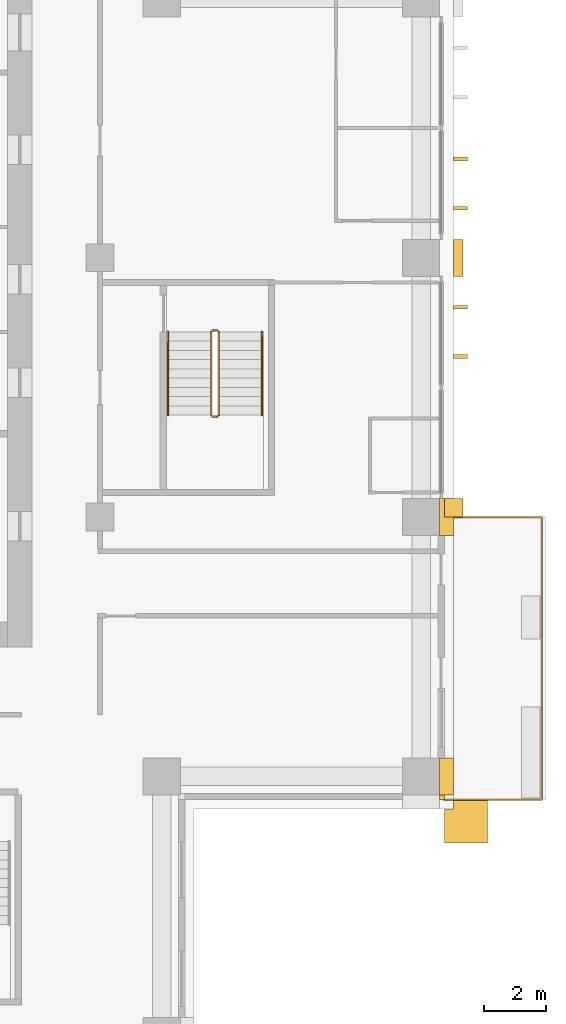
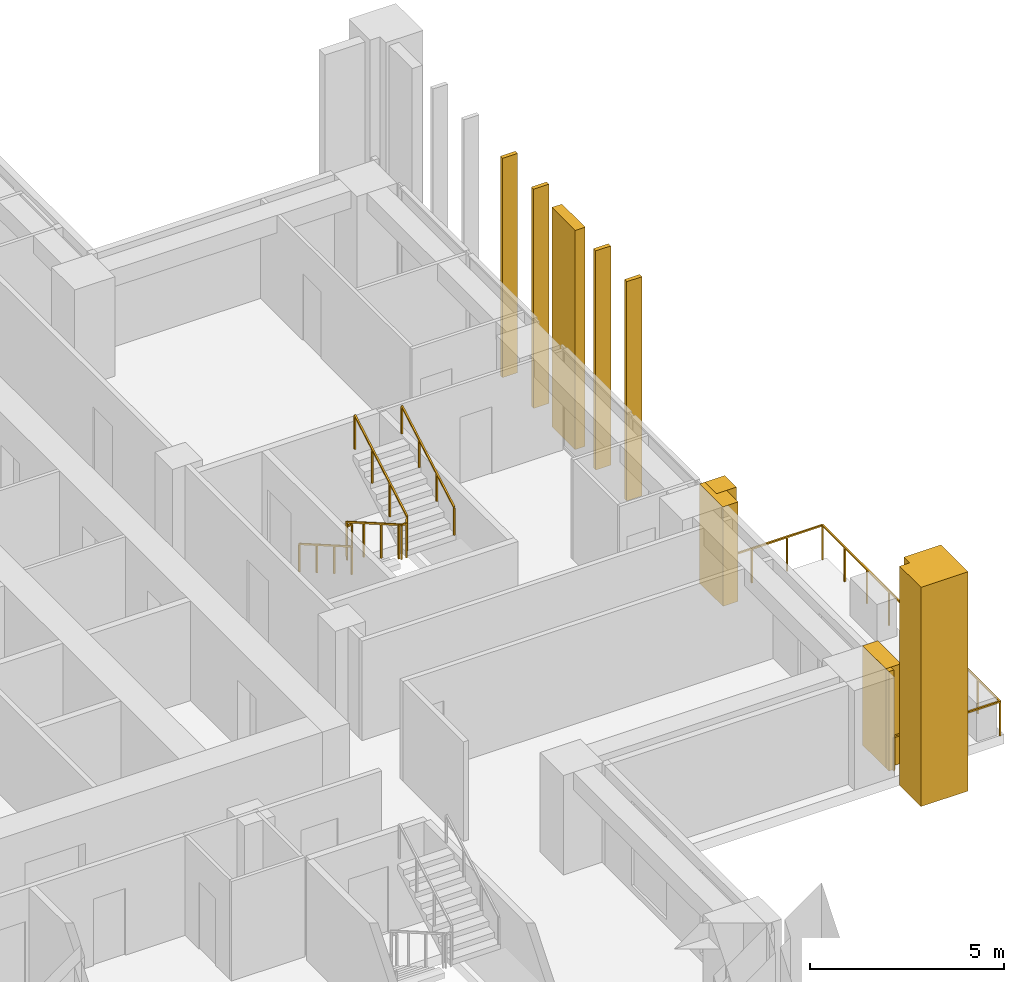
# One storey, part 17 of 19: 10 coverings, 4 railings.
"""IFC4 building model written with IfcOpenShell, lengths in metres."""

from ifc_helpers import new_model, si_unit, direction, frame, origin, origin_2d, place, context, subcontext, project, spatial, polyline, rectangle, outline, extrude, material, layer, layer_set, type_object, element, save


model = new_model("IFC4")

# Units and contexts
model_context = context("Model", 3, precision=1e-05, world=origin(), true_north=direction((0.0, 1.0)))
body_context = subcontext(model_context, "Body", "Model", "MODEL_VIEW")
ifc_project = project(units=[si_unit("LENGTHUNIT", "METRE"), si_unit("AREAUNIT", "SQUARE_METRE"), si_unit("VOLUMEUNIT", "CUBIC_METRE"), si_unit("PLANEANGLEUNIT", "RADIAN"), si_unit("MASSUNIT", "GRAM", prefix="KILO")], contexts=[model_context])

# Site, building, storey
site_placement = place(None, origin())
site = spatial("IfcSite", under=ifc_project, at=site_placement, CompositionType="ELEMENT")
building_placement = place(site_placement, origin())
building = spatial("IfcBuilding", under=site, at=building_placement, Name="Vermilion Ogive Tower", CompositionType="ELEMENT")
storey_placement = place(building_placement, frame((0.0, 0.0, 90.75)))
storey = spatial("IfcBuildingStorey", under=building, at=storey_placement, Name="L22", CompositionType="ELEMENT", Elevation=90.75)

# Railing
ifc_material_1 = material(Name="Stainless steel and glass", Category="steel")
railing_type_1 = type_object("IfcRailingType", Name="Balcony guard", PredefinedType="GUARDRAIL", material=ifc_material_1)
railing_1_placement = place(storey_placement, frame((25.949951171875, -13.35009765625, -0.0400390625)))
element("IfcRailing", 1, at=railing_1_placement, inside=storey, type_object=railing_type_1, Name="Guard E01", PredefinedType="GUARDRAIL", context=body_context, shape_type="SweptSolid", body=[
    extrude(rectangle(XDim=0.048095703125, YDim=0.048095703125, at=origin_2d()), frame((0.0, 0.0, 1.076171875), z_axis=(1.0, 0.0, 0.0), x_axis=(0.0, 1.0, 0.0)), (0.0, 0.0, 1.0), 3.16015625),
    extrude(rectangle(XDim=0.048095703125, YDim=0.048095703125, at=origin_2d()), frame((3.16015625, 0.0, 1.076171875), z_axis=(0.0, 1.0, 0.0), x_axis=(-1.0, 0.0, 0.0)), (0.0, 0.0, 1.0), 9.150146484375),
    extrude(rectangle(XDim=0.048095703125, YDim=0.048095703125, at=origin_2d()), frame((3.16015625, 9.150146484375, 1.076171875), z_axis=(-1.0, 0.0, 0.0), x_axis=(0.0, -1.0, 0.0)), (0.0, 0.0, 1.0), 3.16015625),
    extrude(rectangle(XDim=0.0419921875, YDim=0.0419921875, at=origin_2d()), origin(), (0.0, 0.0, 1.0), 1.052001953125),
    extrude(rectangle(XDim=0.0419921875, YDim=0.0419921875, at=origin_2d()), frame((1.053466796875, 0.0, 0.0)), (0.0, 0.0, 1.0), 1.052001953125),
    extrude(rectangle(XDim=0.0419921875, YDim=0.0419921875, at=origin_2d()), frame((2.106689453125, 0.0, 0.0)), (0.0, 0.0, 1.0), 1.052001953125),
    extrude(rectangle(XDim=0.0419921875, YDim=0.0419921875, at=origin_2d()), frame((3.16015625, 0.0, 0.0)), (0.0, 0.0, 1.0), 1.052001953125),
    extrude(rectangle(XDim=0.0419921875, YDim=0.0419921875, at=origin_2d()), frame((3.16015625, 1.143798828125, 0.0)), (0.0, 0.0, 1.0), 1.052001953125),
    extrude(rectangle(XDim=0.0419921875, YDim=0.0419921875, at=origin_2d()), frame((3.16015625, 2.28759765625, 0.0)), (0.0, 0.0, 1.0), 1.052001953125),
    extrude(rectangle(XDim=0.0419921875, YDim=0.0419921875, at=origin_2d()), frame((3.16015625, 3.431396484375, 0.0)), (0.0, 0.0, 1.0), 1.052001953125),
    extrude(rectangle(XDim=0.0419921875, YDim=0.0419921875, at=origin_2d()), frame((3.16015625, 4.5751953125, 0.0)), (0.0, 0.0, 1.0), 1.052001953125),
    extrude(rectangle(XDim=0.0419921875, YDim=0.0419921875, at=origin_2d()), frame((3.16015625, 5.71875, 0.0)), (0.0, 0.0, 1.0), 1.052001953125),
    extrude(rectangle(XDim=0.0419921875, YDim=0.0419921875, at=origin_2d()), frame((3.16015625, 6.862548828125, 0.0)), (0.0, 0.0, 1.0), 1.052001953125),
    extrude(rectangle(XDim=0.0419921875, YDim=0.0419921875, at=origin_2d()), frame((3.16015625, 8.00634765625, 0.0)), (0.0, 0.0, 1.0), 1.052001953125),
    extrude(rectangle(XDim=0.0419921875, YDim=0.0419921875, at=origin_2d()), frame((3.16015625, 9.150146484375, 0.0)), (0.0, 0.0, 1.0), 1.052001953125),
    extrude(rectangle(XDim=0.0419921875, YDim=0.0419921875, at=origin_2d()), frame((2.106689453125, 9.150146484375, 0.0)), (0.0, 0.0, 1.0), 1.052001953125),
    extrude(rectangle(XDim=0.0419921875, YDim=0.0419921875, at=origin_2d()), frame((1.053466796875, 9.150146484375, 0.0)), (0.0, 0.0, 1.0), 1.052001953125),
    extrude(rectangle(XDim=0.0419921875, YDim=0.0419921875, at=origin_2d()), frame((0.0, 9.150146484375, 0.0)), (0.0, 0.0, 1.0), 1.052001953125),
])

# Coverings
ifc_material_2 = material(Name="Glazed ceramic screen")
ifc_layer = layer(ifc_material_2, 0.14990234375)
ifc_layer_set = layer_set([ifc_layer], Name="Ceramic solar screen fin")
covering_type_1 = type_object("IfcCoveringType", Name="Ceramic solar screen fin", PredefinedType="CLADDING", material=ifc_layer_set)
covering_1_placement = place(storey_placement, frame((0.0, 0.0, -0.320068359375)))
element("IfcCovering", 2, at=covering_1_placement, inside=storey, type_object=covering_type_1, Name="Solar screen blade E001", PredefinedType="CLADDING", context=body_context, shape_type="SweptSolid", body=[
    extrude(outline(polyline([(26.699951171875, 0.93994140625), (26.699951171875, 1.06005859375), (26.25, 1.06005859375), (26.25, 0.93994140625), (26.699951171875, 0.93994140625)])), origin(), (0.0, 0.0, 1.0), 6.900146484375),
])
covering_2_placement = place(storey_placement, frame((0.0, 0.0, -0.320068359375)))
element("IfcCovering", 3, at=covering_2_placement, inside=storey, type_object=covering_type_1, Name="Solar screen blade E002", PredefinedType="CLADDING", context=body_context, shape_type="SweptSolid", body=[
    extrude(outline(polyline([(26.699951171875, 2.5400390625), (26.699951171875, 2.659912109375), (26.25, 2.659912109375), (26.25, 2.5400390625), (26.699951171875, 2.5400390625)])), origin(), (0.0, 0.0, 1.0), 6.900146484375),
])
covering_3_placement = place(storey_placement, frame((0.0, 0.0, -0.320068359375)))
element("IfcCovering", 4, at=covering_3_placement, inside=storey, type_object=covering_type_1, Name="Solar screen blade E011", PredefinedType="CLADDING", context=body_context, shape_type="SweptSolid", body=[
    extrude(outline(polyline([(26.699951171875, 5.739990234375), (26.699951171875, 5.860107421875), (26.25, 5.860107421875), (26.25, 5.739990234375), (26.699951171875, 5.739990234375)])), origin(), (0.0, 0.0, 1.0), 6.900146484375),
])
covering_4_placement = place(storey_placement, frame((0.0, 0.0, -0.320068359375)))
element("IfcCovering", 5, at=covering_4_placement, inside=storey, type_object=covering_type_1, Name="Solar screen blade E012", PredefinedType="CLADDING", context=body_context, shape_type="SweptSolid", body=[
    extrude(outline(polyline([(26.699951171875, 7.340087890625), (26.699951171875, 7.4599609375), (26.25, 7.4599609375), (26.25, 7.340087890625), (26.699951171875, 7.340087890625)])), origin(), (0.0, 0.0, 1.0), 6.900146484375),
])

# Railings
ifc_material_3 = material(Name="Steel S355 painted", Category="steel")
railing_type_2 = type_object("IfcRailingType", Name="Stair guard 1100", PredefinedType="GUARDRAIL", material=ifc_material_3)
railing_2_placement = place(storey_placement, frame((18.60009765625, 1.85009765625, 0.0)))
element("IfcRailing", 6, at=railing_2_placement, inside=storey, type_object=railing_type_2, Name="L22 ST8 stair guard 4", PredefinedType="GUARDRAIL", context=body_context, shape_type="SweptSolid", body=[
    extrude(rectangle(XDim=0.048095703125, YDim=0.048095703125, at=origin_2d()), frame((0.0, 0.0, 1.076171875), z_axis=(-1.0, 0.0, 0.0), x_axis=(0.0, -1.0, 0.0)), (0.0, 0.0, 1.0), 0.150146484375),
    extrude(rectangle(XDim=0.048095703125, YDim=0.048095703125, at=origin_2d()), frame((-0.150146484375, 0.0, 1.076171875), z_axis=(-0.268277960024, -0.268277960024, 0.925231793839), x_axis=(0.707106781187, -0.707106781187, 0.0)), (0.0, 0.0, 1.0), 0.1865234375),
    extrude(rectangle(XDim=0.048095703125, YDim=0.048095703125, at=origin_2d()), frame((-0.2001953125, -0.050048828125, 1.24853515625), z_axis=(0.0, -0.866903762492, 0.498475542607), x_axis=(1.0, 0.0, 0.0)), (0.0, 0.0, 1.0), 3.114501953125),
    extrude(rectangle(XDim=0.048095703125, YDim=0.048095703125, at=origin_2d()), frame((-0.2001953125, -2.75, 2.80126953125), z_axis=(0.707106781187, -0.707106781187, 0.0), x_axis=(0.707106781187, 0.707106781187, 0.0)), (0.0, 0.0, 1.0), 0.07080078125),
    extrude(rectangle(XDim=0.048095703125, YDim=0.048095703125, at=origin_2d()), frame((-0.150146484375, -2.800048828125, 2.80126953125), z_axis=(1.0, 0.0, 0.0), x_axis=(0.0, 1.0, 0.0)), (0.0, 0.0, 1.0), 0.150146484375),
    extrude(rectangle(XDim=0.048095703125, YDim=0.048095703125, at=origin_2d()), frame((0.0, -2.800048828125, 2.80126953125), z_axis=(0.267386790225, 0.268697509785, 0.925368009307), x_axis=(-0.708833529934, 0.705375805398, 0.0)), (0.0, 0.0, 1.0), 0.186279296875),
    extrude(rectangle(XDim=0.048095703125, YDim=0.048095703125, at=origin_2d()), frame((0.0498046875, -2.75, 2.9736328125), z_axis=(0.0, 0.866903762492, 0.498475542607), x_axis=(-1.0, 0.0, 0.0)), (0.0, 0.0, 1.0), 3.114501953125),
    extrude(rectangle(XDim=0.0419921875, YDim=0.0419921875, at=origin_2d()), origin(), (0.0, 0.0, 1.0), 1.052001953125),
    extrude(rectangle(XDim=0.0419921875, YDim=0.0419921875, at=origin_2d()), frame((-0.150146484375, 0.0, 0.0)), (0.0, 0.0, 1.0), 1.052001953125),
    extrude(rectangle(XDim=0.0419921875, YDim=0.0419921875, at=origin_2d()), frame((-0.2001953125, -0.050048828125, 0.172607421875)), (0.0, 0.0, 1.0), 1.052001953125),
    extrude(rectangle(XDim=0.0419921875, YDim=0.0419921875, at=origin_2d()), frame((-0.2001953125, -0.949951171875, 0.690185546875)), (0.0, 0.0, 1.0), 1.052001953125),
    extrude(rectangle(XDim=0.0419921875, YDim=0.0419921875, at=origin_2d()), frame((-0.2001953125, -1.85009765625, 1.20751953125)), (0.0, 0.0, 1.0), 1.052001953125),
    extrude(rectangle(XDim=0.0419921875, YDim=0.0419921875, at=origin_2d()), frame((-0.2001953125, -2.75, 1.72509765625)), (0.0, 0.0, 1.0), 1.052001953125),
    extrude(rectangle(XDim=0.0419921875, YDim=0.0419921875, at=origin_2d()), frame((-0.150146484375, -2.800048828125, 1.72509765625)), (0.0, 0.0, 1.0), 1.052001953125),
    extrude(rectangle(XDim=0.0419921875, YDim=0.0419921875, at=origin_2d()), frame((0.0, -2.800048828125, 1.72509765625)), (0.0, 0.0, 1.0), 1.052001953125),
    extrude(rectangle(XDim=0.0419921875, YDim=0.0419921875, at=origin_2d()), frame((0.0498046875, -2.75, 1.8974609375)), (0.0, 0.0, 1.0), 1.052001953125),
    extrude(rectangle(XDim=0.0419921875, YDim=0.0419921875, at=origin_2d()), frame((0.0498046875, -1.85009765625, 2.4150390625)), (0.0, 0.0, 1.0), 1.052001953125),
    extrude(rectangle(XDim=0.0419921875, YDim=0.0419921875, at=origin_2d()), frame((0.0498046875, -0.949951171875, 2.932373046875)), (0.0, 0.0, 1.0), 1.052001953125),
    extrude(rectangle(XDim=0.0419921875, YDim=0.0419921875, at=origin_2d()), frame((0.0498046875, -0.050048828125, 3.449951171875)), (0.0, 0.0, 1.0), 1.052001953125),
])
ifc_material_4 = material(Name="Stainless steel", Category="steel")
railing_type_3 = type_object("IfcRailingType", Name="Stair handrail 900", PredefinedType="HANDRAIL", material=ifc_material_4)
railing_3_placement = place(storey_placement, frame((17.0, 1.800048828125, 0.172607421875)))
element("IfcRailing", 7, at=railing_3_placement, inside=storey, type_object=railing_type_3, Name="L22 ST8 stair handrail 1", PredefinedType="HANDRAIL", context=body_context, shape_type="SweptSolid", body=[
    extrude(rectangle(XDim=0.048095703125, YDim=0.048095703125, at=origin_2d()), frame((0.0, 0.0, 0.8759765625), z_axis=(0.0, -0.866903762492, 0.498475542607), x_axis=(1.0, 0.0, 0.0)), (0.0, 0.0, 1.0), 3.114501953125),
    extrude(rectangle(XDim=0.0419921875, YDim=0.0419921875, at=origin_2d()), origin(), (0.0, 0.0, 1.0), 0.851806640625),
    extrude(rectangle(XDim=0.0419921875, YDim=0.0419921875, at=origin_2d()), frame((0.0, -0.89990234375, 0.517578125)), (0.0, 0.0, 1.0), 0.851806640625),
    extrude(rectangle(XDim=0.0419921875, YDim=0.0419921875, at=origin_2d()), frame((0.0, -1.800048828125, 1.034912109375)), (0.0, 0.0, 1.0), 0.851806640625),
    extrude(rectangle(XDim=0.0419921875, YDim=0.0419921875, at=origin_2d()), frame((0.0, -2.699951171875, 1.552490234375)), (0.0, 0.0, 1.0), 0.851806640625),
])
railing_4_placement = place(storey_placement, frame((20.050048828125, -0.89990234375, 1.8974609375)))
element("IfcRailing", 8, at=railing_4_placement, inside=storey, type_object=railing_type_3, Name="L22 ST8 stair handrail 2", PredefinedType="HANDRAIL", context=body_context, shape_type="SweptSolid", body=[
    extrude(rectangle(XDim=0.048095703125, YDim=0.048095703125, at=origin_2d()), frame((0.0, 0.0, 0.8759765625), z_axis=(0.0, 0.866903762492, 0.498475542607), x_axis=(-1.0, 0.0, 0.0)), (0.0, 0.0, 1.0), 3.114501953125),
    extrude(rectangle(XDim=0.0419921875, YDim=0.0419921875, at=origin_2d()), origin(), (0.0, 0.0, 1.0), 0.851806640625),
    extrude(rectangle(XDim=0.0419921875, YDim=0.0419921875, at=origin_2d()), frame((0.0, 0.89990234375, 0.517578125)), (0.0, 0.0, 1.0), 0.851806640625),
    extrude(rectangle(XDim=0.0419921875, YDim=0.0419921875, at=origin_2d()), frame((0.0, 1.800048828125, 1.034912109375)), (0.0, 0.0, 1.0), 0.851806640625),
    extrude(rectangle(XDim=0.0419921875, YDim=0.0419921875, at=origin_2d()), frame((0.0, 2.699951171875, 1.552490234375)), (0.0, 0.0, 1.0), 0.851806640625),
])

# Coverings
ifc_material_5 = material(Name="Stone cladding", Category="masonry")
covering_type_2 = type_object("IfcCoveringType", Name="Stone corner buttress", PredefinedType="CLADDING", material=ifc_material_5)
covering_5_placement = place(storey_placement, origin())
element("IfcCovering", 9, at=covering_5_placement, inside=storey, type_object=covering_type_2, Name="Stone crease pier EK", PredefinedType="CLADDING", context=body_context, shape_type="SweptSolid", body=[
    extrude(outline(polyline([(26.550048828125, -4.199951171875), (26.550048828125, -3.60009765625), (25.949951171875, -3.60009765625), (25.949951171875, -4.199951171875), (26.550048828125, -4.199951171875)])), origin(), (0.0, 0.0, 1.0), 3.1298828125),
])
covering_6_placement = place(storey_placement, frame((0.0, 0.0, -0.320068359375)))
element("IfcCovering", 10, at=covering_6_placement, inside=storey, type_object=covering_type_2, Name="Stone corner buttress E1", PredefinedType="CLADDING", context=body_context, shape_type="SweptSolid", body=[
    extrude(outline(polyline([(26.25, -13.64990234375), (26.25, -13.35009765625), (27.35009765625, -13.35009765625), (27.35009765625, -14.75), (25.949951171875, -14.75), (25.949951171875, -13.64990234375), (26.25, -13.64990234375)])), origin(), (0.0, 0.0, 1.0), 6.900146484375),
])
ifc_material_6 = material(Name="Stone cladding", Category="masonry")
covering_type_3 = type_object("IfcCoveringType", Name="Stone pier", PredefinedType="CLADDING", material=ifc_material_6)
covering_7_placement = place(storey_placement, origin())
element("IfcCovering", 11, at=covering_7_placement, inside=storey, type_object=covering_type_3, Name="Stone corner pier X2E1", PredefinedType="CLADDING", context=body_context, shape_type="SweptSolid", body=[
    extrude(outline(polyline([(25.800048828125, -13.35009765625), (25.800048828125, -13.199951171875), (25.949951171875, -13.199951171875), (25.949951171875, -13.35009765625), (25.800048828125, -13.35009765625)])), origin(), (0.0, 0.0, 1.0), 3.1298828125),
])
covering_8_placement = place(storey_placement, frame((0.0, 0.0, -0.320068359375)))
element("IfcCovering", 12, at=covering_8_placement, inside=storey, type_object=covering_type_3, Name="Stone pier P+0252+042", PredefinedType="CLADDING", context=body_context, shape_type="SweptSolid", body=[
    extrude(outline(polyline([(26.550048828125, 4.800048828125), (26.550048828125, 3.60009765625), (26.25, 3.60009765625), (26.25, 4.800048828125), (26.550048828125, 4.800048828125)])), origin(), (0.0, 0.0, 1.0), 6.900146484375),
])
covering_9_placement = place(storey_placement, origin())
element("IfcCovering", 13, at=covering_9_placement, inside=storey, type_object=covering_type_3, Name="Stone pier P+0252-042", PredefinedType="CLADDING", context=body_context, shape_type="SweptSolid", body=[
    extrude(outline(polyline([(25.800048828125, -3.60009765625), (25.949951171875, -3.60009765625), (25.949951171875, -4.199951171875), (26.25, -4.199951171875), (26.25, -4.800048828125), (25.800048828125, -4.800048828125), (25.800048828125, -4.800048828125), (25.800048828125, -3.60009765625)])), origin(), (0.0, 0.0, 1.0), 3.1298828125),
])
covering_10_placement = place(storey_placement, origin())
element("IfcCovering", 14, at=covering_10_placement, inside=storey, type_object=covering_type_3, Name="Stone pier P+0252-126E", PredefinedType="CLADDING", context=body_context, shape_type="SweptSolid", body=[
    extrude(outline(polyline([(26.25, -13.199951171875), (25.800048828125, -13.199951171875), (25.800048828125, -12.0), (26.25, -12.0), (26.25, -13.199951171875)])), origin(), (0.0, 0.0, 1.0), 3.1298828125),
])

save(model, "model.ifc")
